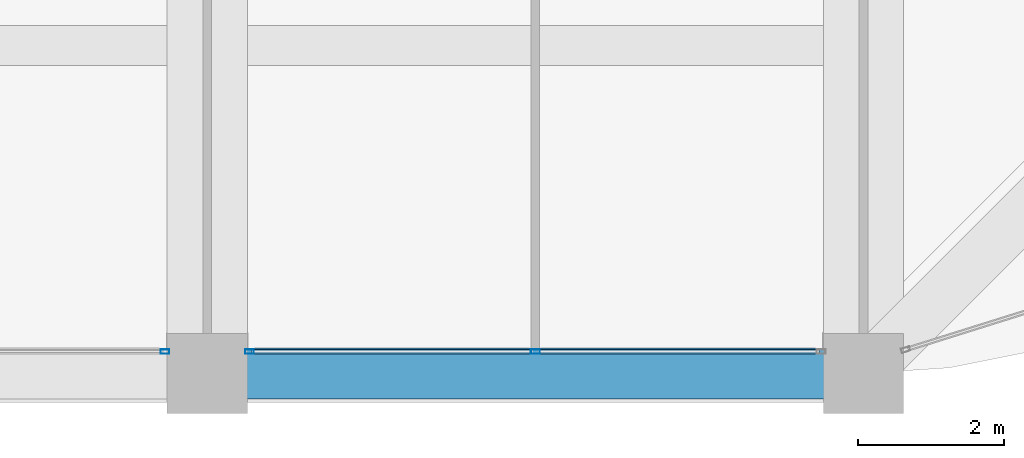
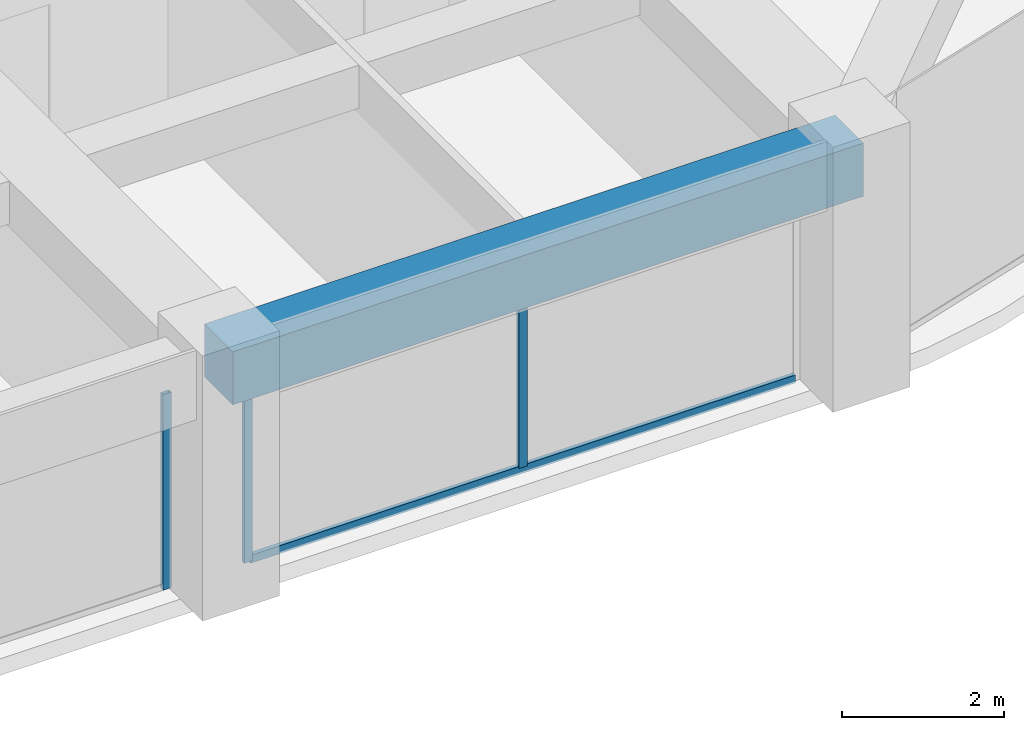
# One storey, part 11 of 45: 4 members, 1 beam, 2 elements without a shape of their own.
"""IFC4 building model written with IfcOpenShell, lengths in metres."""

from ifc_helpers import new_model, si_unit, direction, frame, origin, origin_2d, place, context, subcontext, project, spatial, rectangle, hollow_rectangle, extrude, material, material_profile, profile_set, type_object, element, aggregate, save


model = new_model("IFC4")

# Units and contexts
model_context = context("Model", 3, precision=1e-05, world=origin(), true_north=direction((0.0, 1.0)))
body_context = subcontext(model_context, "Body", "Model", "MODEL_VIEW")
ifc_project = project(units=[si_unit("LENGTHUNIT", "METRE"), si_unit("AREAUNIT", "SQUARE_METRE"), si_unit("VOLUMEUNIT", "CUBIC_METRE"), si_unit("PLANEANGLEUNIT", "RADIAN"), si_unit("MASSUNIT", "GRAM", prefix="KILO")], contexts=[model_context])

# Site, building, storey
site_placement = place(None, origin())
site = spatial("IfcSite", under=ifc_project, at=site_placement, CompositionType="ELEMENT")
building_placement = place(site_placement, origin())
building = spatial("IfcBuilding", under=site, at=building_placement, Name="Zorevar Civic Tower", CompositionType="ELEMENT")
storey_placement = place(building_placement, frame((0.0, 0.0, 303.39990234375)))
storey = spatial("IfcBuildingStorey", under=building, at=storey_placement, Name="L74", CompositionType="ELEMENT", Elevation=303.39990234375)

# Curtain wall, member
ifc_material_1 = material(Name="Dark grey solar-control glass in black aluminium frame", Category="aluminium")
curtain_wall_type = type_object("IfcCurtainWallType", Name="Curtain wall CW5 top zone", PredefinedType="NOTDEFINED", material=ifc_material_1)
curtain_wall_1_placement = place(storey_placement, origin())
curtain_wall_1 = element("IfcCurtainWall", 1, at=curtain_wall_1_placement, inside=storey, type_object=curtain_wall_type, Name="CW5 L74", PredefinedType="NOTDEFINED")
ifc_material_2 = material(Name="Aluminium, black anodised", Category="aluminium")
ifc_material_profile_1 = material_profile(ifc_material_2, hollow_rectangle(XDim=0.06005859375, YDim=0.1201171875, WallThickness=0.0029296875, at=origin_2d()), Name="AL 120x60x3")
ifc_profile_set_1 = profile_set([ifc_material_profile_1], Name="Aluminium, black anodised")
member_type_1 = type_object("IfcMemberType", Name="CW5 mullion AL 120x60x3", PredefinedType="MULLION", material=ifc_profile_set_1)
member_1_placement = place(storey_placement, frame((35.419921875, 0.300048828125, 0.0), z_axis=(0.0, 0.0, 1.0), x_axis=(0.0, 1.0, 0.0)))
member_1 = element("IfcMember", 2, at=member_1_placement, type_object=member_type_1, Name="CW5 mullion 3", PredefinedType="MULLION", context=body_context, shape_type="SweptSolid", body=[
    extrude(hollow_rectangle(XDim=0.06005859375, YDim=0.1201171875, WallThickness=0.0029296875, at=origin_2d()), origin(), (0.0, 0.0, 1.0), 2.9501953125),
])
aggregate(curtain_wall_1, [member_1])

# Curtain wall, members
curtain_wall_2_placement = place(storey_placement, origin())
curtain_wall_2 = element("IfcCurtainWall", 3, at=curtain_wall_2_placement, inside=storey, type_object=curtain_wall_type, Name="CW5 L74", PredefinedType="NOTDEFINED")
member_2_placement = place(storey_placement, frame((36.580078125, 0.300048828125, 0.0), z_axis=(0.0, 0.0, 1.0), x_axis=(0.0, 1.0, 0.0)))
member_2 = element("IfcMember", 4, at=member_2_placement, type_object=member_type_1, Name="CW5 mullion 1", PredefinedType="MULLION", context=body_context, shape_type="SweptSolid", body=[
    extrude(hollow_rectangle(XDim=0.06005859375, YDim=0.1201171875, WallThickness=0.0029296875, at=origin_2d()), origin(), (0.0, 0.0, 1.0), 2.9501953125),
])
member_3_placement = place(storey_placement, frame((40.5, 0.300048828125, 0.06005859375), z_axis=(0.0, 0.0, 1.0), x_axis=(0.0, 1.0, 0.0)))
member_3 = element("IfcMember", 5, at=member_3_placement, type_object=member_type_1, Name="CW5 mullion 2", PredefinedType="MULLION", context=body_context, shape_type="SweptSolid", body=[
    extrude(hollow_rectangle(XDim=0.06005859375, YDim=0.1201171875, WallThickness=0.0029296875, at=origin_2d()), origin(), (0.0, 0.0, 1.0), 2.89013671875),
])
ifc_material_3 = material(Name="Aluminium, black anodised", Category="aluminium")
ifc_material_profile_2 = material_profile(ifc_material_3, hollow_rectangle(XDim=0.06005859375, YDim=0.1201171875, WallThickness=0.0029296875, at=origin_2d()), Name="AL 120x60x3")
ifc_profile_set_2 = profile_set([ifc_material_profile_2], Name="Aluminium, black anodised")
member_type_2 = type_object("IfcMemberType", Name="CW5 transom AL 120x60x3", PredefinedType="USERDEFINED", material=ifc_profile_set_2)
member_4_placement = place(storey_placement, frame((36.610107421875, 0.300048828125, 0.030029296875), z_axis=(1.0, 0.0, 0.0), x_axis=(0.0, 1.0, 0.0)))
member_4 = element("IfcMember", 6, at=member_4_placement, type_object=member_type_2, Name="CW5 sill transom", ObjectType="TRANSOM", PredefinedType="USERDEFINED", context=body_context, shape_type="SweptSolid", body=[
    extrude(hollow_rectangle(XDim=0.06005859375, YDim=0.1201171875, WallThickness=0.0029296875, at=origin_2d()), origin(), (0.0, 0.0, 1.0), 7.77978515625),
])
aggregate(curtain_wall_2, [member_2, member_3, member_4])

# Beam
ifc_material_4 = material(Name="Concrete C50/60", Category="concrete")
ifc_material_profile_3 = material_profile(ifc_material_4, rectangle(XDim=0.699951171875, YDim=0.800048828125, at=origin_2d()), Name="RC 700x800")
ifc_profile_set_3 = profile_set([ifc_material_profile_3], Name="Concrete C50/60")
beam_type = type_object("IfcBeamType", Name="Edge beam RC 700x800", PredefinedType="SPANDREL", material=ifc_profile_set_3)
beam_placement = place(storey_placement, frame((36.0, 0.0, 3.35009765625), z_axis=(1.0, 0.0, 0.0), x_axis=(0.0, 1.0, 0.0)))
element("IfcBeam", 7, at=beam_placement, inside=storey, type_object=beam_type, Name="Edge beam L75", PredefinedType="SPANDREL", context=body_context, shape_type="SweptSolid", body=[
    extrude(rectangle(XDim=0.699951171875, YDim=0.800048828125, at=origin_2d()), origin(), (0.0, 0.0, 1.0), 9.0),
])

save(model, "model.ifc")
